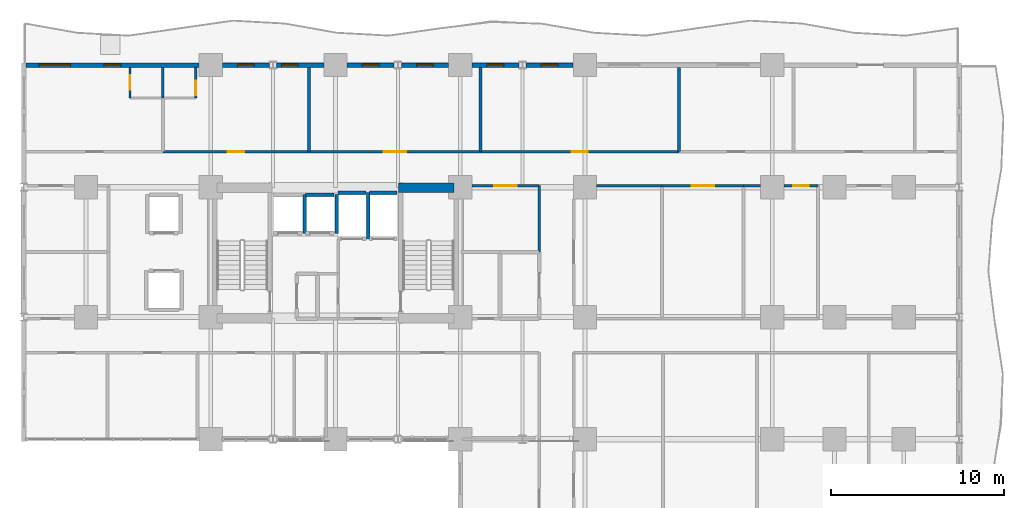
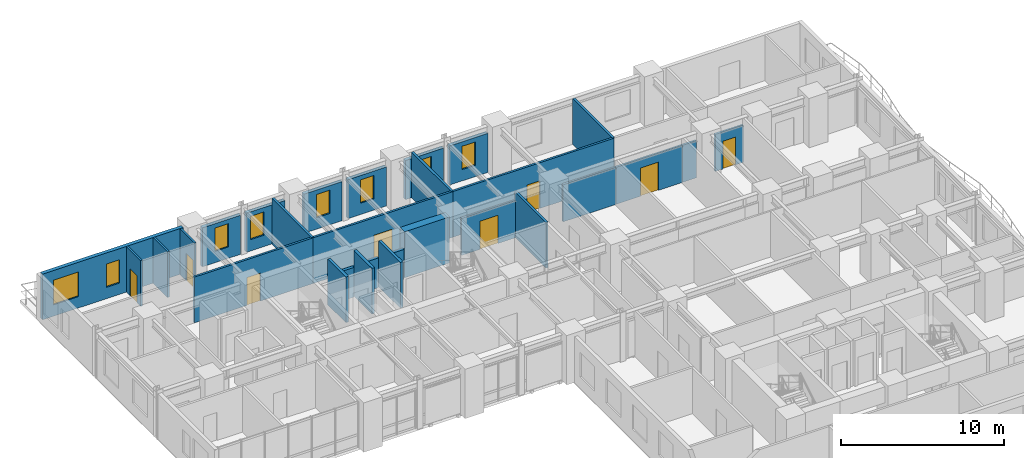
# One storey, part 12 of 17: 29 walls, 8 doors, 8 windows, 16 openings.
"""IFC4 building model written with IfcOpenShell, lengths in metres."""

from ifc_helpers import new_model, si_unit, direction, frame, frame_2d, origin, place, context, subcontext, project, spatial, rectangle, extrude, material, layer, layer_set, type_object, element, fill, save


model = new_model("IFC4")

# Units and contexts
model_context = context("Model", 3, precision=1e-05, world=origin(), true_north=direction((0.0, 1.0)))
body_context = subcontext(model_context, "Body", "Model", "MODEL_VIEW")
ifc_project = project(units=[si_unit("LENGTHUNIT", "METRE"), si_unit("AREAUNIT", "SQUARE_METRE"), si_unit("VOLUMEUNIT", "CUBIC_METRE"), si_unit("PLANEANGLEUNIT", "RADIAN"), si_unit("MASSUNIT", "GRAM", prefix="KILO")], contexts=[model_context])

# Site, building, storey
site_placement = place(None, origin())
site = spatial("IfcSite", under=ifc_project, at=site_placement, CompositionType="ELEMENT")
building_placement = place(site_placement, origin())
building = spatial("IfcBuilding", under=site, at=building_placement, Name="Kaliganga Portal Commons", CompositionType="ELEMENT")
storey_placement = place(building_placement, frame((0.0, 0.0, 43.800048828125)))
storey = spatial("IfcBuildingStorey", under=building, at=storey_placement, Name="L10", CompositionType="ELEMENT", Elevation=43.800048828125)

# Wall
ifc_material_1 = material(Name="Concrete C60/75", Category="concrete")
ifc_layer_1 = layer(ifc_material_1, 0.550048828125)
ifc_layer_set_1 = layer_set([ifc_layer_1], Name="Concrete C60/75")
wall_type_1 = type_object("IfcWallType", Name="WL-CORE-550", PredefinedType="SHEAR", material=ifc_layer_set_1)
wall_1_placement = place(storey_placement, frame((25.25, 36.125, 0.0), z_axis=(0.0, 0.0, 1.0), x_axis=(1.0, 0.0, 0.0)))
element("IfcWall", 1, at=wall_1_placement, inside=storey, type_object=wall_type_1, Name="Core A N-East Shear Wall L10", PredefinedType="SHEAR", context=body_context, shape_type="SweptSolid", body=[
    extrude(rectangle(XDim=3.199951171875, YDim=0.550048828125, at=frame_2d((1.60009765625, 0.0))), origin(), (0.0, 0.0, 1.0), 3.449951171875),
])

# Wall, opening, window
ifc_material_2 = material(Name="Insulated Aluminium-Clad Spandrel Assembly", Category="aluminium")
ifc_layer_2 = layer(ifc_material_2, 0.260009765625)
ifc_layer_set_2 = layer_set([ifc_layer_2], Name="Insulated Aluminium-Clad Spandrel Assembly")
wall_type_2 = type_object("IfcWallType", Name="WL-EXT-SPAND-260", PredefinedType="STANDARD", material=ifc_layer_set_2)
wall_2_placement = place(storey_placement, frame((32.60888671875, 43.199951171875, 0.0), z_axis=(0.0, 0.0, 1.0), x_axis=(1.0, 0.0, 0.0)))
wall_2 = element("IfcWall", 2, at=wall_2_placement, inside=storey, type_object=wall_type_2, Name="Exterior Envelope Wall L10 P1-E02-S3", PredefinedType="STANDARD", context=body_context, shape_type="SweptSolid", body=[
    extrude(rectangle(XDim=2.715087890625, YDim=0.260009765625, at=frame_2d((1.357421875, 0.0))), origin(), (0.0, 0.0, 1.0), 2.929931640625),
])
opening_1_placement = place(wall_2_placement, frame((0.882568359375, 0.0, 0.85009765625)))
opening_1 = element("IfcOpeningElement", 3, at=opening_1_placement, cuts=wall_2, Name="Opening W-04", PredefinedType="OPENING", context=body_context, shape_type="SweptSolid", body=[
    extrude(rectangle(XDim=0.949951171875, YDim=1.75, at=frame_2d((0.47509765625, 0.875))), frame((0.0, 0.14013671875, 0.0), z_axis=(0.0, -1.0, 0.0), x_axis=(1.0, 0.0, 0.0)), (0.0, 0.0, 1.0), 0.280029296875),
])
ifc_material_3 = material(Name="Thermally Broken Aluminium and Low-E Double Glazing", Category="aluminium")
window_type_1 = type_object("IfcWindowType", Name="WIN-NARROW-950", PartitioningType="SINGLE_PANEL", PredefinedType="WINDOW", material=ifc_material_3)
window_1_placement = place(opening_1_placement, origin())
window_1 = element("IfcWindow", 4, at=window_1_placement, inside=storey, type_object=window_type_1, Name="Facade Window L10-P1E02S3-00", OverallHeight=1.75, OverallWidth=0.949951171875, PartitioningType="SINGLE_PANEL", PredefinedType="WINDOW", context=body_context, shape_type="SweptSolid", body=[
    extrude(rectangle(XDim=0.949951171875, YDim=1.75, at=frame_2d((0.47509765625, 0.875))), frame((0.0, 0.030029296875, 0.0), z_axis=(0.0, -1.0, 0.0), x_axis=(1.0, 0.0, 0.0)), (0.0, 0.0, 1.0), 0.06005859375),
])
fill(opening_1, window_1)

wall_3_placement = place(storey_placement, frame((29.47607421875, 43.199951171875, 0.0), z_axis=(0.0, 0.0, 1.0), x_axis=(1.0, 0.0, 0.0)))
wall_3 = element("IfcWall", 5, at=wall_3_placement, inside=storey, type_object=wall_type_2, Name="Exterior Envelope Wall L10 P1-E02-S4", PredefinedType="STANDARD", context=body_context, shape_type="SweptSolid", body=[
    extrude(rectangle(XDim=2.71484375, YDim=0.260009765625, at=frame_2d((1.357421875, 0.0))), origin(), (0.0, 0.0, 1.0), 2.929931640625),
])
opening_2_placement = place(wall_3_placement, frame((0.882568359375, 0.0, 0.85009765625)))
opening_2 = element("IfcOpeningElement", 6, at=opening_2_placement, cuts=wall_3, Name="Opening W-04", PredefinedType="OPENING", context=body_context, shape_type="SweptSolid", body=[
    extrude(rectangle(XDim=0.949951171875, YDim=1.75, at=frame_2d((0.47509765625, 0.875))), frame((0.0, 0.14013671875, 0.0), z_axis=(0.0, -1.0, 0.0), x_axis=(1.0, 0.0, 0.0)), (0.0, 0.0, 1.0), 0.280029296875),
])
window_2_placement = place(opening_2_placement, origin())
window_2 = element("IfcWindow", 7, at=window_2_placement, inside=storey, type_object=window_type_1, Name="Facade Window L10-P1E02S4-00", OverallHeight=1.75, OverallWidth=0.949951171875, PartitioningType="SINGLE_PANEL", PredefinedType="WINDOW", context=body_context, shape_type="SweptSolid", body=[
    extrude(rectangle(XDim=0.949951171875, YDim=1.75, at=frame_2d((0.47509765625, 0.875))), frame((0.0, 0.030029296875, 0.0), z_axis=(0.0, -1.0, 0.0), x_axis=(1.0, 0.0, 0.0)), (0.0, 0.0, 1.0), 0.06005859375),
])
fill(opening_2, window_2)

wall_4_placement = place(storey_placement, frame((25.408935546875, 43.199951171875, 0.0), z_axis=(0.0, 0.0, 1.0), x_axis=(1.0, 0.0, 0.0)))
wall_4 = element("IfcWall", 8, at=wall_4_placement, inside=storey, type_object=wall_type_2, Name="Exterior Envelope Wall L10 P1-E02-S5", PredefinedType="STANDARD", context=body_context, shape_type="SweptSolid", body=[
    extrude(rectangle(XDim=2.715087890625, YDim=0.260009765625, at=frame_2d((1.357421875, 0.0))), origin(), (0.0, 0.0, 1.0), 2.929931640625),
])
opening_3_placement = place(wall_4_placement, frame((0.882568359375, 0.0, 0.85009765625)))
opening_3 = element("IfcOpeningElement", 9, at=opening_3_placement, cuts=wall_4, Name="Opening W-04", PredefinedType="OPENING", context=body_context, shape_type="SweptSolid", body=[
    extrude(rectangle(XDim=0.949951171875, YDim=1.75, at=frame_2d((0.47509765625, 0.875))), frame((0.0, 0.14013671875, 0.0), z_axis=(0.0, -1.0, 0.0), x_axis=(1.0, 0.0, 0.0)), (0.0, 0.0, 1.0), 0.280029296875),
])
window_3_placement = place(opening_3_placement, origin())
window_3 = element("IfcWindow", 10, at=window_3_placement, inside=storey, type_object=window_type_1, Name="Facade Window L10-P1E02S5-00", OverallHeight=1.75, OverallWidth=0.949951171875, PartitioningType="SINGLE_PANEL", PredefinedType="WINDOW", context=body_context, shape_type="SweptSolid", body=[
    extrude(rectangle(XDim=0.949951171875, YDim=1.75, at=frame_2d((0.47509765625, 0.875))), frame((0.0, 0.030029296875, 0.0), z_axis=(0.0, -1.0, 0.0), x_axis=(1.0, 0.0, 0.0)), (0.0, 0.0, 1.0), 0.06005859375),
])
fill(opening_3, window_3)

wall_5_placement = place(storey_placement, frame((22.27587890625, 43.199951171875, 0.0), z_axis=(0.0, 0.0, 1.0), x_axis=(1.0, 0.0, 0.0)))
wall_5 = element("IfcWall", 11, at=wall_5_placement, inside=storey, type_object=wall_type_2, Name="Exterior Envelope Wall L10 P1-E02-S6", PredefinedType="STANDARD", context=body_context, shape_type="SweptSolid", body=[
    extrude(rectangle(XDim=2.715087890625, YDim=0.260009765625, at=frame_2d((1.357421875, 0.0))), origin(), (0.0, 0.0, 1.0), 2.929931640625),
])
opening_4_placement = place(wall_5_placement, frame((0.882568359375, 0.0, 0.85009765625)))
opening_4 = element("IfcOpeningElement", 12, at=opening_4_placement, cuts=wall_5, Name="Opening W-04", PredefinedType="OPENING", context=body_context, shape_type="SweptSolid", body=[
    extrude(rectangle(XDim=0.949951171875, YDim=1.75, at=frame_2d((0.47509765625, 0.875))), frame((0.0, 0.14013671875, 0.0), z_axis=(0.0, -1.0, 0.0), x_axis=(1.0, 0.0, 0.0)), (0.0, 0.0, 1.0), 0.280029296875),
])
window_4_placement = place(opening_4_placement, origin())
window_4 = element("IfcWindow", 13, at=window_4_placement, inside=storey, type_object=window_type_1, Name="Facade Window L10-P1E02S6-00", OverallHeight=1.75, OverallWidth=0.949951171875, PartitioningType="SINGLE_PANEL", PredefinedType="WINDOW", context=body_context, shape_type="SweptSolid", body=[
    extrude(rectangle(XDim=0.949951171875, YDim=1.75, at=frame_2d((0.47509765625, 0.875))), frame((0.0, 0.030029296875, 0.0), z_axis=(0.0, -1.0, 0.0), x_axis=(1.0, 0.0, 0.0)), (0.0, 0.0, 1.0), 0.06005859375),
])
fill(opening_4, window_4)

wall_6_placement = place(storey_placement, frame((18.208984375, 43.199951171875, 0.0), z_axis=(0.0, 0.0, 1.0), x_axis=(1.0, 0.0, 0.0)))
wall_6 = element("IfcWall", 14, at=wall_6_placement, inside=storey, type_object=wall_type_2, Name="Exterior Envelope Wall L10 P1-E02-S7", PredefinedType="STANDARD", context=body_context, shape_type="SweptSolid", body=[
    extrude(rectangle(XDim=2.715087890625, YDim=0.260009765625, at=frame_2d((1.357421875, 0.0))), origin(), (0.0, 0.0, 1.0), 2.929931640625),
])
opening_5_placement = place(wall_6_placement, frame((0.28515625, 0.0, 0.85009765625)))
opening_5 = element("IfcOpeningElement", 15, at=opening_5_placement, cuts=wall_6, Name="Opening W-04", PredefinedType="OPENING", context=body_context, shape_type="SweptSolid", body=[
    extrude(rectangle(XDim=0.949951171875, YDim=1.75, at=frame_2d((0.47509765625, 0.875))), frame((0.0, 0.14013671875, 0.0), z_axis=(0.0, -1.0, 0.0), x_axis=(1.0, 0.0, 0.0)), (0.0, 0.0, 1.0), 0.280029296875),
])
window_5_placement = place(opening_5_placement, origin())
window_5 = element("IfcWindow", 16, at=window_5_placement, inside=storey, type_object=window_type_1, Name="Facade Window L10-P1E02S7-N3", OverallHeight=1.75, OverallWidth=0.949951171875, PartitioningType="SINGLE_PANEL", PredefinedType="WINDOW", context=body_context, shape_type="SweptSolid", body=[
    extrude(rectangle(XDim=0.949951171875, YDim=1.75, at=frame_2d((0.47509765625, 0.875))), frame((0.0, 0.030029296875, 0.0), z_axis=(0.0, -1.0, 0.0), x_axis=(1.0, 0.0, 0.0)), (0.0, 0.0, 1.0), 0.06005859375),
])
fill(opening_5, window_5)

wall_7_placement = place(storey_placement, frame((15.075927734375, 43.199951171875, 0.0), z_axis=(0.0, 0.0, 1.0), x_axis=(1.0, 0.0, 0.0)))
wall_7 = element("IfcWall", 17, at=wall_7_placement, inside=storey, type_object=wall_type_2, Name="Exterior Envelope Wall L10 P1-E02-S8", PredefinedType="STANDARD", context=body_context, shape_type="SweptSolid", body=[
    extrude(rectangle(XDim=2.715087890625, YDim=0.260009765625, at=frame_2d((1.357421875, 0.0))), origin(), (0.0, 0.0, 1.0), 2.929931640625),
])
opening_6_placement = place(wall_7_placement, frame((0.882568359375, 0.0, 0.85009765625)))
opening_6 = element("IfcOpeningElement", 18, at=opening_6_placement, cuts=wall_7, Name="Opening W-04", PredefinedType="OPENING", context=body_context, shape_type="SweptSolid", body=[
    extrude(rectangle(XDim=0.949951171875, YDim=1.75, at=frame_2d((0.47509765625, 0.875))), frame((0.0, 0.14013671875, 0.0), z_axis=(0.0, -1.0, 0.0), x_axis=(1.0, 0.0, 0.0)), (0.0, 0.0, 1.0), 0.280029296875),
])
window_6_placement = place(opening_6_placement, origin())
window_6 = element("IfcWindow", 19, at=window_6_placement, inside=storey, type_object=window_type_1, Name="Facade Window L10-P1E02S8-00", OverallHeight=1.75, OverallWidth=0.949951171875, PartitioningType="SINGLE_PANEL", PredefinedType="WINDOW", context=body_context, shape_type="SweptSolid", body=[
    extrude(rectangle(XDim=0.949951171875, YDim=1.75, at=frame_2d((0.47509765625, 0.875))), frame((0.0, 0.030029296875, 0.0), z_axis=(0.0, -1.0, 0.0), x_axis=(1.0, 0.0, 0.0)), (0.0, 0.0, 1.0), 0.06005859375),
])
fill(opening_6, window_6)

# Wall, openings, windows
wall_8_placement = place(storey_placement, frame((3.735107421875, 43.199951171875, 0.0), z_axis=(0.0, 0.0, 1.0), x_axis=(1.0, 0.0, 0.0)))
wall_8 = element("IfcWall", 20, at=wall_8_placement, inside=storey, type_object=wall_type_2, Name="Exterior Envelope Wall L10 P1-E02-S9", PredefinedType="STANDARD", context=body_context, shape_type="SweptSolid", body=[
    extrude(rectangle(XDim=9.989013671875, YDim=0.260009765625, at=frame_2d((4.99462890625, 0.0))), origin(), (0.0, 0.0, 1.0), 3.429931640625),
])
opening_7_placement = place(wall_8_placement, frame((0.764892578125, 0.0, 0.85009765625)))
opening_7 = element("IfcOpeningElement", 21, at=opening_7_placement, cuts=wall_8, Name="Opening W-01", PredefinedType="OPENING", context=body_context, shape_type="SweptSolid", body=[
    extrude(rectangle(XDim=1.800048828125, YDim=1.85009765625, at=frame_2d((0.89990234375, 0.925048828125))), frame((0.0, 0.14013671875, 0.0), z_axis=(0.0, -1.0, 0.0), x_axis=(1.0, 0.0, 0.0)), (0.0, 0.0, 1.0), 0.280029296875),
])
opening_8_placement = place(wall_8_placement, frame((4.51953125, 0.0, 0.85009765625)))
opening_8 = element("IfcOpeningElement", 22, at=opening_8_placement, cuts=wall_8, Name="Opening W-04", PredefinedType="OPENING", context=body_context, shape_type="SweptSolid", body=[
    extrude(rectangle(XDim=0.949951171875, YDim=1.75, at=frame_2d((0.47509765625, 0.875))), frame((0.0, 0.14013671875, 0.0), z_axis=(0.0, -1.0, 0.0), x_axis=(1.0, 0.0, 0.0)), (0.0, 0.0, 1.0), 0.280029296875),
])
window_7_placement = place(opening_8_placement, origin())
window_7 = element("IfcWindow", 23, at=window_7_placement, inside=storey, type_object=window_type_1, Name="Facade Window L10-P1E02S9-N0", OverallHeight=1.75, OverallWidth=0.949951171875, PartitioningType="SINGLE_PANEL", PredefinedType="WINDOW", context=body_context, shape_type="SweptSolid", body=[
    extrude(rectangle(XDim=0.949951171875, YDim=1.75, at=frame_2d((0.47509765625, 0.875))), frame((0.0, 0.030029296875, 0.0), z_axis=(0.0, -1.0, 0.0), x_axis=(1.0, 0.0, 0.0)), (0.0, 0.0, 1.0), 0.06005859375),
])
fill(opening_8, window_7)
window_type_2 = type_object("IfcWindowType", Name="WIN-STD-1800", PartitioningType="DOUBLE_PANEL_VERTICAL", PredefinedType="WINDOW", material=ifc_material_3)
window_8_placement = place(opening_7_placement, origin())
window_8 = element("IfcWindow", 24, at=window_8_placement, inside=storey, type_object=window_type_2, Name="Facade Window L10-P1E02S9-00", OverallHeight=1.85009765625, OverallWidth=1.800048828125, PartitioningType="SINGLE_PANEL", PredefinedType="WINDOW", context=body_context, shape_type="SweptSolid", body=[
    extrude(rectangle(XDim=1.800048828125, YDim=1.85009765625, at=frame_2d((0.89990234375, 0.925048828125))), frame((0.0, 0.030029296875, 0.0), z_axis=(0.0, -1.0, 0.0), x_axis=(1.0, 0.0, 0.0)), (0.0, 0.0, 1.0), 0.06005859375),
])
fill(opening_7, window_8)

# Wall, opening, door
ifc_material_4 = material(Name="Fire-Rated Gypsum Board on Steel Stud", Category="steel")
ifc_layer_3 = layer(ifc_material_4, 0.14990234375)
ifc_layer_set_3 = layer_set([ifc_layer_3], Name="Fire-Rated Gypsum Board on Steel Stud")
wall_type_3 = type_object("IfcWallType", Name="WL-PART-CORR-150", PredefinedType="PARTITIONING", material=ifc_layer_set_3)
wall_9_placement = place(storey_placement, frame((29.97998046875, 38.199951171875, 0.0), z_axis=(0.0, 0.0, 1.0), x_axis=(1.0, 0.0, 0.0)))
wall_9 = element("IfcWall", 25, at=wall_9_placement, inside=storey, type_object=wall_type_3, Name="Interior Partition L10-007", PredefinedType="PARTITIONING", context=body_context, shape_type="SweptSolid", body=[
    extrude(rectangle(XDim=11.43994140625, YDim=0.14990234375, at=frame_2d((5.719970703125, 0.0))), origin(), (0.0, 0.0, 1.0), 3.429931640625),
])
opening_9_placement = place(wall_9_placement, frame((5.27001953125, 0.0, 0.0)))
opening_9 = element("IfcOpeningElement", 26, at=opening_9_placement, cuts=wall_9, Name="Opening RD-01", PredefinedType="OPENING", context=body_context, shape_type="SweptSolid", body=[
    extrude(rectangle(XDim=0.89990234375, YDim=2.080078125, at=frame_2d((0.449951171875, 1.0400390625))), frame((0.0, 0.0849609375, 0.0), z_axis=(0.0, -1.0, 0.0), x_axis=(1.0, 0.0, 0.0)), (0.0, 0.0, 1.0), 0.169921875),
])
ifc_material_5 = material(Name="Engineered Timber Flush Door", Category="wood")
door_type_1 = type_object("IfcDoorType", Name="DR-ROOM-900", OperationType="NOTDEFINED", PredefinedType="DOOR", material=ifc_material_5)
door_1_placement = place(opening_9_placement, origin())
door_1 = element("IfcDoor", 27, at=door_1_placement, inside=storey, type_object=door_type_1, Name="Interior Door L10-AN04", OperationType="SINGLE_SWING_LEFT", OverallHeight=2.080078125, OverallWidth=0.89990234375, PredefinedType="DOOR", context=body_context, shape_type="SweptSolid", body=[
    extrude(rectangle(XDim=0.89990234375, YDim=2.080078125, at=frame_2d((0.449951171875, 1.0400390625))), frame((0.0, 0.02490234375, 0.0), z_axis=(0.0, -1.0, 0.0), x_axis=(1.0, 0.0, 0.0)), (0.0, 0.0, 1.0), 0.050048828125),
])
fill(opening_9, door_1)

wall_10_placement = place(storey_placement, frame((20.080078125, 38.199951171875, 0.0), z_axis=(0.0, 0.0, 1.0), x_axis=(1.0, 0.0, 0.0)))
wall_10 = element("IfcWall", 28, at=wall_10_placement, inside=storey, type_object=wall_type_3, Name="Interior Partition L10-009", PredefinedType="PARTITIONING", context=body_context, shape_type="SweptSolid", body=[
    extrude(rectangle(XDim=9.89990234375, YDim=0.14990234375, at=frame_2d((4.949951171875, 0.0))), origin(), (0.0, 0.0, 1.0), 3.429931640625),
])
opening_10_placement = place(wall_10_placement, frame((4.300048828125, 0.0, 0.0)))
opening_10 = element("IfcOpeningElement", 29, at=opening_10_placement, cuts=wall_10, Name="Opening RD-03", PredefinedType="OPENING", context=body_context, shape_type="SweptSolid", body=[
    extrude(rectangle(XDim=1.300048828125, YDim=2.1201171875, at=frame_2d((0.64990234375, 1.06005859375))), frame((0.0, 0.0849609375, 0.0), z_axis=(0.0, -1.0, 0.0), x_axis=(1.0, 0.0, 0.0)), (0.0, 0.0, 1.0), 0.169921875),
])
ifc_material_6 = material(Name="Glazed Timber Seminar Vision Door", Category="wood")
door_type_2 = type_object("IfcDoorType", Name="DR-STUDY-1300", OperationType="DOUBLE_DOOR_SINGLE_SWING", PredefinedType="DOOR", material=ifc_material_6)
door_2_placement = place(opening_10_placement, origin())
door_2 = element("IfcDoor", 30, at=door_2_placement, inside=storey, type_object=door_type_2, Name="Interior Door L10-AN03", OperationType="DOUBLE_DOOR_SINGLE_SWING", OverallHeight=2.1201171875, OverallWidth=1.300048828125, PredefinedType="DOOR", context=body_context, shape_type="SweptSolid", body=[
    extrude(rectangle(XDim=1.300048828125, YDim=2.1201171875, at=frame_2d((0.64990234375, 1.06005859375))), frame((0.0, 0.02490234375, 0.0), z_axis=(0.0, -1.0, 0.0), x_axis=(1.0, 0.0, 0.0)), (0.0, 0.0, 1.0), 0.050048828125),
])
fill(opening_10, door_2)

wall_11_placement = place(storey_placement, frame((11.639892578125, 38.199951171875, 0.0), z_axis=(0.0, 0.0, 1.0), x_axis=(1.0, 0.0, 0.0)))
wall_11 = element("IfcWall", 31, at=wall_11_placement, inside=storey, type_object=wall_type_3, Name="Interior Partition L10-014", PredefinedType="PARTITIONING", context=body_context, shape_type="SweptSolid", body=[
    extrude(rectangle(XDim=8.440185546875, YDim=0.14990234375, at=frame_2d((4.22021484375, 0.0))), origin(), (0.0, 0.0, 1.0), 3.429931640625),
])
opening_11_placement = place(wall_11_placement, frame((3.7451171875, 0.0, 0.0)))
opening_11 = element("IfcOpeningElement", 32, at=opening_11_placement, cuts=wall_11, Name="Opening UD-01", PredefinedType="OPENING", context=body_context, shape_type="SweptSolid", body=[
    extrude(rectangle(XDim=0.949951171875, YDim=2.10009765625, at=frame_2d((0.47509765625, 1.050048828125))), frame((0.0, 0.0849609375, 0.0), z_axis=(0.0, -1.0, 0.0), x_axis=(1.0, 0.0, 0.0)), (0.0, 0.0, 1.0), 0.169921875),
])
ifc_material_7 = material(Name="Solid-Core Timber Acoustic Fire Door", Category="wood")
door_type_3 = type_object("IfcDoorType", Name="DR-UNIT-950", OperationType="NOTDEFINED", PredefinedType="DOOR", material=ifc_material_7)
door_3_placement = place(opening_11_placement, origin())
door_3 = element("IfcDoor", 33, at=door_3_placement, inside=storey, type_object=door_type_3, Name="Interior Door L10-AN02", OperationType="SINGLE_SWING_LEFT", OverallHeight=2.10009765625, OverallWidth=0.949951171875, PredefinedType="DOOR", context=body_context, shape_type="SweptSolid", body=[
    extrude(rectangle(XDim=0.949951171875, YDim=2.10009765625, at=frame_2d((0.47509765625, 1.050048828125))), frame((0.0, 0.02490234375, 0.0), z_axis=(0.0, -1.0, 0.0), x_axis=(1.0, 0.0, 0.0)), (0.0, 0.0, 1.0), 0.050048828125),
])
fill(opening_11, door_3)

# Wall
wall_12_placement = place(storey_placement, frame((36.675048828125, 36.239990234375, 0.0), z_axis=(0.0, 0.0, 1.0), x_axis=(1.0, 0.0, 0.0)))
element("IfcWall", 34, at=wall_12_placement, inside=storey, type_object=wall_type_3, Name="Interior Partition L10-033", PredefinedType="PARTITIONING", context=body_context, shape_type="SweptSolid", body=[
    extrude(rectangle(XDim=3.764892578125, YDim=0.14990234375, at=frame_2d((1.88232421875, 0.0))), origin(), (0.0, 0.0, 1.0), 2.780029296875),
])

# Wall, opening, door
wall_13_placement = place(storey_placement, frame((40.43994140625, 36.239990234375, 0.0), z_axis=(0.0, 0.0, 1.0), x_axis=(1.0, 0.0, 0.0)))
wall_13 = element("IfcWall", 35, at=wall_13_placement, inside=storey, type_object=wall_type_3, Name="Interior Partition L10-040", PredefinedType="PARTITIONING", context=body_context, shape_type="SweptSolid", body=[
    extrude(rectangle(XDim=4.719970703125, YDim=0.14990234375, at=frame_2d((2.35986328125, 0.0))), origin(), (0.0, 0.0, 1.0), 2.780029296875),
])
opening_12_placement = place(wall_13_placement, frame((1.7099609375, 0.0, 0.0)))
opening_12 = element("IfcOpeningElement", 36, at=opening_12_placement, cuts=wall_13, Name="Opening RD-03", PredefinedType="OPENING", context=body_context, shape_type="SweptSolid", body=[
    extrude(rectangle(XDim=1.300048828125, YDim=2.1201171875, at=frame_2d((0.64990234375, 1.06005859375))), frame((0.0, 0.0849609375, 0.0), z_axis=(0.0, -1.0, 0.0), x_axis=(1.0, 0.0, 0.0)), (0.0, 0.0, 1.0), 0.169921875),
])
door_4_placement = place(opening_12_placement, origin())
door_4 = element("IfcDoor", 37, at=door_4_placement, inside=storey, type_object=door_type_2, Name="Interior Door L10-BK02", OperationType="DOUBLE_DOOR_SINGLE_SWING", OverallHeight=2.1201171875, OverallWidth=1.300048828125, PredefinedType="DOOR", context=body_context, shape_type="SweptSolid", body=[
    extrude(rectangle(XDim=1.300048828125, YDim=2.1201171875, at=frame_2d((0.64990234375, 1.06005859375))), frame((0.0, 0.02490234375, 0.0), z_axis=(0.0, -1.0, 0.0), x_axis=(1.0, 0.0, 0.0)), (0.0, 0.0, 1.0), 0.050048828125),
])
fill(opening_12, door_4)

wall_14_placement = place(storey_placement, frame((29.47509765625, 36.239990234375, 0.0), z_axis=(0.0, 0.0, 1.0), x_axis=(1.0, 0.0, 0.0)))
wall_14 = element("IfcWall", 38, at=wall_14_placement, inside=storey, type_object=wall_type_3, Name="Interior Partition L10-042", PredefinedType="PARTITIONING", context=body_context, shape_type="SweptSolid", body=[
    extrude(rectangle(XDim=3.885009765625, YDim=0.14990234375, at=frame_2d((1.9423828125, 0.0))), origin(), (0.0, 0.0, 1.0), 2.780029296875),
])
opening_13_placement = place(wall_14_placement, frame((1.29248046875, 0.0, 0.0)))
opening_13 = element("IfcOpeningElement", 39, at=opening_13_placement, cuts=wall_14, Name="Opening RD-03", PredefinedType="OPENING", context=body_context, shape_type="SweptSolid", body=[
    extrude(rectangle(XDim=1.300048828125, YDim=2.1201171875, at=frame_2d((0.64990234375, 1.06005859375))), frame((0.0, 0.0849609375, 0.0), z_axis=(0.0, -1.0, 0.0), x_axis=(1.0, 0.0, 0.0)), (0.0, 0.0, 1.0), 0.169921875),
])
door_5_placement = place(opening_13_placement, origin())
door_5 = element("IfcDoor", 40, at=door_5_placement, inside=storey, type_object=door_type_2, Name="Interior Door L10-CSRV_A2", OperationType="DOUBLE_DOOR_SINGLE_SWING", OverallHeight=2.1201171875, OverallWidth=1.300048828125, PredefinedType="DOOR", context=body_context, shape_type="SweptSolid", body=[
    extrude(rectangle(XDim=1.300048828125, YDim=2.1201171875, at=frame_2d((0.64990234375, 1.06005859375))), frame((0.0, 0.02490234375, 0.0), z_axis=(0.0, -1.0, 0.0), x_axis=(1.0, 0.0, 0.0)), (0.0, 0.0, 1.0), 0.050048828125),
])
fill(opening_13, door_5)

# Wall
wall_15_placement = place(storey_placement, frame((45.159912109375, 36.239990234375, 0.0), z_axis=(0.0, 0.0, 1.0), x_axis=(1.0, 0.0, 0.0)))
element("IfcWall", 41, at=wall_15_placement, inside=storey, type_object=wall_type_3, Name="Interior Partition L10-043", PredefinedType="PARTITIONING", context=body_context, shape_type="SweptSolid", body=[
    extrude(rectangle(XDim=0.965087890625, YDim=0.14990234375, at=frame_2d((0.482421875, 0.0))), origin(), (0.0, 0.0, 1.0), 2.780029296875),
])

# Wall, opening, door
wall_16_placement = place(storey_placement, frame((47.47509765625, 36.239990234375, 0.0), z_axis=(0.0, 0.0, 1.0), x_axis=(1.0, 0.0, 0.0)))
wall_16 = element("IfcWall", 42, at=wall_16_placement, inside=storey, type_object=wall_type_3, Name="Interior Partition L10-044", PredefinedType="PARTITIONING", context=body_context, shape_type="SweptSolid", body=[
    extrude(rectangle(XDim=1.98486328125, YDim=0.14990234375, at=frame_2d((0.992431640625, 0.0))), origin(), (0.0, 0.0, 1.0), 2.780029296875),
])
opening_14_placement = place(wall_16_placement, frame((0.54248046875, 0.0, 0.0)))
opening_14 = element("IfcOpeningElement", 43, at=opening_14_placement, cuts=wall_16, Name="Opening RD-01", PredefinedType="OPENING", context=body_context, shape_type="SweptSolid", body=[
    extrude(rectangle(XDim=0.89990234375, YDim=2.080078125, at=frame_2d((0.449951171875, 1.0400390625))), frame((0.0, 0.0849609375, 0.0), z_axis=(0.0, -1.0, 0.0), x_axis=(1.0, 0.0, 0.0)), (0.0, 0.0, 1.0), 0.169921875),
])
door_6_placement = place(opening_14_placement, origin())
door_6 = element("IfcDoor", 44, at=door_6_placement, inside=storey, type_object=door_type_1, Name="Interior Door L10-BK03", OperationType="SINGLE_SWING_LEFT", OverallHeight=2.080078125, OverallWidth=0.89990234375, PredefinedType="DOOR", context=body_context, shape_type="SweptSolid", body=[
    extrude(rectangle(XDim=0.89990234375, YDim=2.080078125, at=frame_2d((0.449951171875, 1.0400390625))), frame((0.0, 0.02490234375, 0.0), z_axis=(0.0, -1.0, 0.0), x_axis=(1.0, 0.0, 0.0)), (0.0, 0.0, 1.0), 0.050048828125),
])
fill(opening_14, door_6)

# Walls
wall_17_placement = place(storey_placement, frame((33.360107421875, 32.39990234375, 0.0), z_axis=(0.0, 0.0, 1.0), x_axis=(0.0, 1.0, 0.0)))
element("IfcWall", 45, at=wall_17_placement, inside=storey, type_object=wall_type_3, Name="Interior Partition L10-046", PredefinedType="PARTITIONING", context=body_context, shape_type="SweptSolid", body=[
    extrude(rectangle(XDim=3.840087890625, YDim=0.14990234375, at=frame_2d((1.919921875, 0.0))), origin(), (0.0, 0.0, 1.0), 3.429931640625),
])
ifc_material_8 = material(Name="Twin-Stud Acoustic Gypsum Partition", Category="gypsum")
ifc_layer_4 = layer(ifc_material_8, 0.1650390625)
ifc_layer_set_4 = layer_set([ifc_layer_4], Name="Twin-Stud Acoustic Gypsum Partition")
wall_type_4 = type_object("IfcWallType", Name="WL-PART-UNIT-165", PredefinedType="PARTITIONING", material=ifc_layer_set_4)
for number, where, z_axis, x_axis, name in (
    (46, (20.080078125, 38.199951171875, 0.0), (0.0, 0.0, 1.0), (0.0, 1.0, 0.0), "Interior Partition L10-075"),
    (47, (29.97998046875, 38.199951171875, 0.0), (0.0, 0.0, 1.0), (0.0, 1.0, 0.0), "Interior Partition L10-077"),
    (48, (41.419921875, 38.199951171875, 0.0), (0.0, 0.0, 1.0), (0.0, 1.0, 0.0), "Interior Partition L10-078"),
):
    element("IfcWall", number, at=place(storey_placement, frame(where, z_axis=z_axis, x_axis=x_axis)), inside=storey, type_object=wall_type_4, Name=name, PredefinedType="PARTITIONING", context=body_context, shape_type="SweptSolid", body=[
        extrude(rectangle(XDim=4.8681640625, YDim=0.1650390625, at=frame_2d((2.43408203125, 0.0))), origin(), (0.0, 0.0, 1.0), 3.429931640625),
    ])

# Wall, opening, door
ifc_material_9 = material(Name="Cement-Board Wet-Room Partition", Category="gypsum")
ifc_layer_5 = layer(ifc_material_9, 0.135009765625)
ifc_layer_set_5 = layer_set([ifc_layer_5], Name="Cement-Board Wet-Room Partition")
wall_type_5 = type_object("IfcWallType", Name="WL-PART-WET-135", PredefinedType="PARTITIONING", material=ifc_layer_set_5)
wall_18_placement = place(storey_placement, frame((9.739990234375, 41.300048828125, 0.0), z_axis=(0.0, 0.0, 1.0), x_axis=(0.0, 1.0, 0.0)))
wall_18 = element("IfcWall", 49, at=wall_18_placement, inside=storey, type_object=wall_type_5, Name="Interior Partition L10-001", PredefinedType="PARTITIONING", context=body_context, shape_type="SweptSolid", body=[
    extrude(rectangle(XDim=1.76806640625, YDim=0.135009765625, at=frame_2d((0.884033203125, 0.0))), origin(), (0.0, 0.0, 1.0), 3.429931640625),
])
opening_15_placement = place(wall_18_placement, frame((0.458984375, 0.0, 0.0)))
opening_15 = element("IfcOpeningElement", 50, at=opening_15_placement, cuts=wall_18, Name="Opening WD-01", PredefinedType="OPENING", context=body_context, shape_type="SweptSolid", body=[
    extrude(rectangle(XDim=0.85009765625, YDim=2.0400390625, at=frame_2d((0.425048828125, 1.02001953125))), frame((0.0, 0.07763671875, 0.0), z_axis=(0.0, -1.0, 0.0), x_axis=(1.0, 0.0, 0.0)), (0.0, 0.0, 1.0), 0.155029296875),
])
ifc_material_10 = material(Name="Moisture-Resistant Laminate Timber Door", Category="wood")
door_type_4 = type_object("IfcDoorType", Name="DR-WET-850", OperationType="NOTDEFINED", PredefinedType="DOOR", material=ifc_material_10)
door_7_placement = place(opening_15_placement, origin())
door_7 = element("IfcDoor", 51, at=door_7_placement, inside=storey, type_object=door_type_4, Name="Interior Door L10-AN01E", OperationType="SINGLE_SWING_RIGHT", OverallHeight=2.0400390625, OverallWidth=0.85009765625, PredefinedType="DOOR", context=body_context, shape_type="SweptSolid", body=[
    extrude(rectangle(XDim=0.85009765625, YDim=2.0400390625, at=frame_2d((0.425048828125, 1.02001953125))), frame((0.0, 0.02490234375, 0.0), z_axis=(0.0, -1.0, 0.0), x_axis=(1.0, 0.0, 0.0)), (0.0, 0.0, 1.0), 0.050048828125),
])
fill(opening_15, door_7)

# Wall
wall_19_placement = place(storey_placement, frame((11.639892578125, 41.300048828125, 0.0), z_axis=(0.0, 0.0, 1.0), x_axis=(0.0, 1.0, 0.0)))
element("IfcWall", 52, at=wall_19_placement, inside=storey, type_object=wall_type_5, Name="Interior Partition L10-002", PredefinedType="PARTITIONING", context=body_context, shape_type="SweptSolid", body=[
    extrude(rectangle(XDim=1.76806640625, YDim=0.135009765625, at=frame_2d((0.884033203125, 0.0))), origin(), (0.0, 0.0, 1.0), 3.429931640625),
])

# Wall, opening, door
wall_20_placement = place(storey_placement, frame((13.5400390625, 41.300048828125, 0.0), z_axis=(0.0, 0.0, 1.0), x_axis=(0.0, 1.0, 0.0)))
wall_20 = element("IfcWall", 53, at=wall_20_placement, inside=storey, type_object=wall_type_5, Name="Interior Partition L10-003", PredefinedType="PARTITIONING", context=body_context, shape_type="SweptSolid", body=[
    extrude(rectangle(XDim=1.76806640625, YDim=0.135009765625, at=frame_2d((0.884033203125, 0.0))), origin(), (0.0, 0.0, 1.0), 3.429931640625),
])
opening_16_placement = place(wall_20_placement, frame((0.140869140625, 0.0, 0.0)))
opening_16 = element("IfcOpeningElement", 54, at=opening_16_placement, cuts=wall_20, Name="Opening WD-01", PredefinedType="OPENING", context=body_context, shape_type="SweptSolid", body=[
    extrude(rectangle(XDim=0.85009765625, YDim=2.0400390625, at=frame_2d((0.425048828125, 1.02001953125))), frame((0.0, 0.07763671875, 0.0), z_axis=(0.0, -1.0, 0.0), x_axis=(1.0, 0.0, 0.0)), (0.0, 0.0, 1.0), 0.155029296875),
])
door_8_placement = place(opening_16_placement, origin())
door_8 = element("IfcDoor", 55, at=door_8_placement, inside=storey, type_object=door_type_4, Name="Interior Door L10-AN02E", OperationType="SINGLE_SWING_LEFT", OverallHeight=2.0400390625, OverallWidth=0.85009765625, PredefinedType="DOOR", context=body_context, shape_type="SweptSolid", body=[
    extrude(rectangle(XDim=0.85009765625, YDim=2.0400390625, at=frame_2d((0.425048828125, 1.02001953125))), frame((0.0, 0.02490234375, 0.0), z_axis=(0.0, -1.0, 0.0), x_axis=(1.0, 0.0, 0.0)), (0.0, 0.0, 1.0), 0.050048828125),
])
fill(opening_16, door_8)

# Walls
ifc_material_11 = material(Name="Fire-Rated Shaftwall Masonry Assembly", Category="masonry")
ifc_layer_6 = layer(ifc_material_11, 0.199951171875)
ifc_layer_set_6 = layer_set([ifc_layer_6], Name="Fire-Rated Shaftwall Masonry Assembly")
wall_type_6 = type_object("IfcWallType", Name="WL-SHAFT-200", PredefinedType="PARTITIONING", material=ifc_layer_set_6)
wall_21_placement = place(storey_placement, frame((19.81494140625, 33.485107421875, 0.0), z_axis=(0.0, 0.0, 1.0), x_axis=(0.0, 1.0, 0.0)))
element("IfcWall", 56, at=wall_21_placement, inside=storey, type_object=wall_type_6, Name="Lift PL-A1 Hoistway Shaft Wall L10-E", PredefinedType="PARTITIONING", context=body_context, shape_type="SweptSolid", body=[
    extrude(rectangle(XDim=2.22998046875, YDim=0.199951171875, at=frame_2d((1.114990234375, 0.0))), origin(), (0.0, 0.0, 1.0), 3.429931640625),
])
wall_22_placement = place(storey_placement, frame((19.875, 35.715087890625, 0.0), z_axis=(0.0, 0.0, 1.0), x_axis=(1.0, 0.0, 0.0)))
element("IfcWall", 57, at=wall_22_placement, inside=storey, type_object=wall_type_6, Name="Lift PL-A2 Hoistway Shaft Wall L10-N", PredefinedType="PARTITIONING", context=body_context, shape_type="SweptSolid", body=[
    extrude(rectangle(XDim=1.64990234375, YDim=0.199951171875, at=frame_2d((0.824951171875, 0.0))), origin(), (0.0, 0.0, 1.0), 2.22998046875),
])
wall_23_placement = place(storey_placement, frame((21.6650390625, 33.485107421875, 0.0), z_axis=(0.0, 0.0, 1.0), x_axis=(0.0, 1.0, 0.0)))
element("IfcWall", 58, at=wall_23_placement, inside=storey, type_object=wall_type_6, Name="Lift PL-A2 Hoistway Shaft Wall L10-E", PredefinedType="PARTITIONING", context=body_context, shape_type="SweptSolid", body=[
    extrude(rectangle(XDim=2.22998046875, YDim=0.199951171875, at=frame_2d((1.114990234375, 0.0))), origin(), (0.0, 0.0, 1.0), 3.429931640625),
])
wall_24_placement = place(storey_placement, frame((21.75, 35.840087890625, 0.0), z_axis=(0.0, 0.0, 1.0), x_axis=(1.0, 0.0, 0.0)))
element("IfcWall", 59, at=wall_24_placement, inside=storey, type_object=wall_type_6, Name="Lift FFL-1 Hoistway Shaft Wall L10-N", PredefinedType="PARTITIONING", context=body_context, shape_type="SweptSolid", body=[
    extrude(rectangle(XDim=1.60009765625, YDim=0.199951171875, at=frame_2d((0.800048828125, 0.0))), origin(), (0.0, 0.0, 1.0), 2.22998046875),
])
wall_25_placement = place(storey_placement, frame((23.489990234375, 33.159912109375, 0.0), z_axis=(0.0, 0.0, 1.0), x_axis=(0.0, 1.0, 0.0)))
element("IfcWall", 60, at=wall_25_placement, inside=storey, type_object=wall_type_6, Name="Lift FFL-1 Hoistway Shaft Wall L10-E", PredefinedType="PARTITIONING", context=body_context, shape_type="SweptSolid", body=[
    extrude(rectangle(XDim=2.68017578125, YDim=0.199951171875, at=frame_2d((1.340087890625, 0.0))), origin(), (0.0, 0.0, 1.0), 3.429931640625),
])
wall_26_placement = place(storey_placement, frame((23.550048828125, 35.840087890625, 0.0), z_axis=(0.0, 0.0, 1.0), x_axis=(1.0, 0.0, 0.0)))
element("IfcWall", 61, at=wall_26_placement, inside=storey, type_object=wall_type_6, Name="Lift FFL-2 Hoistway Shaft Wall L10-N", PredefinedType="PARTITIONING", context=body_context, shape_type="SweptSolid", body=[
    extrude(rectangle(XDim=1.599853515625, YDim=0.199951171875, at=frame_2d((0.7998046875, 0.0))), origin(), (0.0, 0.0, 1.0), 2.22998046875),
])

save(model, "model.ifc")
